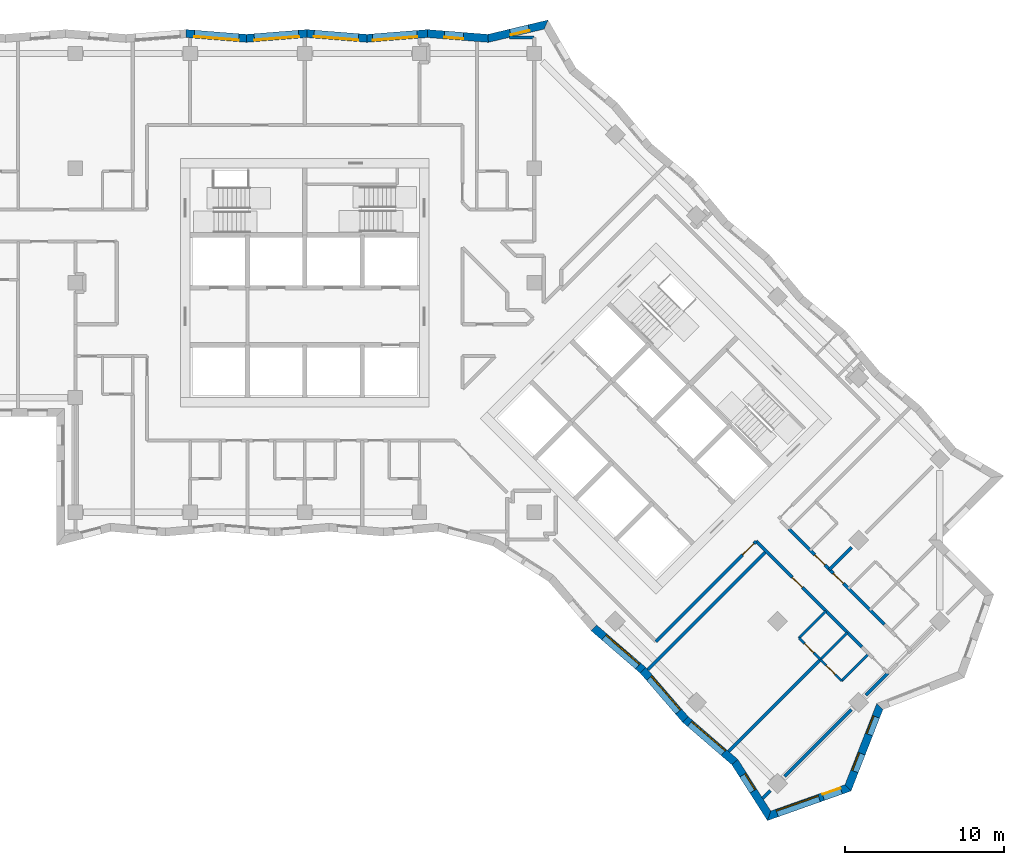
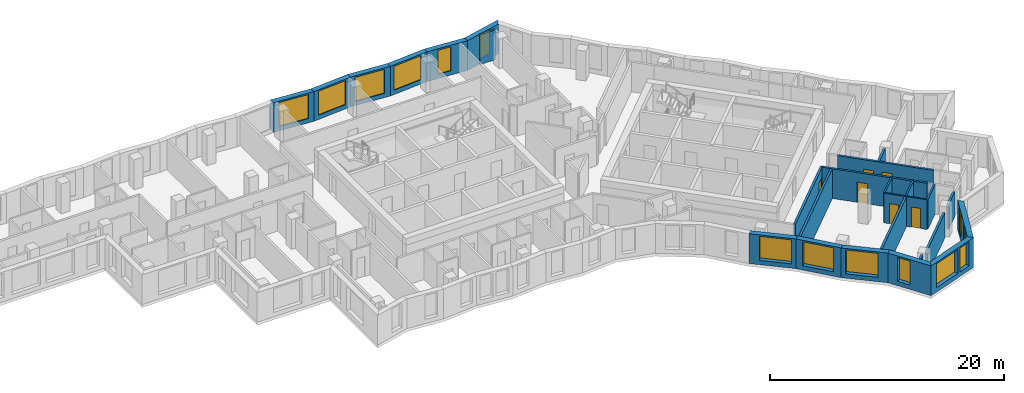
# One storey, part 7 of 12: 27 walls, 14 windows, 6 doors, 20 openings.
"""IFC4 building model written with IfcOpenShell, lengths in metres."""

import ifcopenshell
import ifcopenshell.guid

model = None  # the IFC model being written
_history = None  # IfcOwnerHistory: only IFC2X3 demands one
_inside = {}  # id of a spatial element -> (the spatial element, [elements in it])
_under = {}  # id of a project, library or spatial element -> (it, [spatial elements below it])
_declared = {}  # id of a project -> (the project, [libraries it declares])
_typed = {}  # id of a type object -> (the type object, [elements of that type])
_made_of = {}  # id of a material, layer set ... -> (it, [elements and type objects made of it])


def new_model(schema):
    """Start an empty IFC model of exactly this schema.

    Asked for "IFC4X3", IfcOpenShell would pick the latest addendum, in which some entities
    have other attributes; the version numbers below select the first issue.
    IFC2X3 requires an IfcOwnerHistory on every rooted entity: one is made here for all.
    """
    global model, _history
    if schema == "IFC4X3":
        model = ifcopenshell.file(schema_version=(4, 3, 0, 0))
    else:
        model = ifcopenshell.file(schema=schema)
    _inside.clear()
    _under.clear()
    _declared.clear()
    _typed.clear()
    _made_of.clear()
    _history = None
    if model.schema == "IFC2X3":
        org = make("IfcOrganization", Name="unknown")
        user = make(
            "IfcPersonAndOrganization",
            ThePerson=make("IfcPerson", FamilyName="unknown"),
            TheOrganization=org,
        )
        app = make(
            "IfcApplication",
            ApplicationDeveloper=org,
            Version="unknown",
            ApplicationFullName="unknown",
            ApplicationIdentifier="unknown",
        )
        _history = make(
            "IfcOwnerHistory",
            OwningUser=user,
            OwningApplication=app,
            ChangeAction="ADDED",
            CreationDate=0,
        )
    return model


def make(cls, **values):
    """One entity of the class cls with the attributes given. An attribute that is None is left unset."""
    return model.create_entity(
        cls, **{name: value for name, value in values.items() if value is not None}
    )


def rooted(cls, **values):
    """An entity with a GlobalId (a new one), such as an element, a storey or a relation."""
    return make(cls, GlobalId=ifcopenshell.guid.new(), OwnerHistory=_history, **values)


def si_unit(unit_type, name, prefix=None):
    """IfcSIUnit, for example si_unit("LENGTHUNIT", "METRE", prefix="MILLI")."""
    return make("IfcSIUnit", UnitType=unit_type, Prefix=prefix, Name=name)


def assignment(units):
    """IfcUnitAssignment: the units of a project."""
    return None if units is None else make("IfcUnitAssignment", Units=units)


def point(xyz):
    """IfcCartesianPoint."""
    return None if xyz is None else make("IfcCartesianPoint", Coordinates=xyz)


def direction(xyz):
    """IfcDirection."""
    return None if xyz is None else make("IfcDirection", DirectionRatios=xyz)


def frame(location, z_axis=None, x_axis=None):
    """IfcAxis2Placement3D, a coordinate frame: its origin and axes. An axis left out is left unset."""
    return make(
        "IfcAxis2Placement3D",
        Location=point(location),
        Axis=direction(z_axis),
        RefDirection=direction(x_axis),
    )


def frame_2d(location, x_axis=None):
    """IfcAxis2Placement2D, a coordinate frame in the plane: its origin and x axis."""
    return make(
        "IfcAxis2Placement2D", Location=point(location), RefDirection=direction(x_axis)
    )


def origin():
    """The frame at (0, 0, 0) with its axes left unset."""
    return frame((0.0, 0.0, 0.0))


def place(relative_to, where):
    """IfcLocalPlacement: puts the frame where relative to a parent placement (None: the world)."""
    return make(
        "IfcLocalPlacement", PlacementRelTo=relative_to, RelativePlacement=where
    )


def context(
    kind, dimensions, precision=None, world=None, true_north=None, identifier=None
):
    """IfcGeometricRepresentationContext, for example the 3D "Model" context."""
    return make(
        "IfcGeometricRepresentationContext",
        ContextIdentifier=identifier,
        ContextType=kind,
        CoordinateSpaceDimension=dimensions,
        Precision=precision,
        WorldCoordinateSystem=world,
        TrueNorth=true_north,
    )


def subcontext(parent, identifier, kind, view, scale=None):
    """IfcGeometricRepresentationSubContext, for example "Body" below "Model"."""
    return make(
        "IfcGeometricRepresentationSubContext",
        ContextIdentifier=identifier,
        ContextType=kind,
        ParentContext=parent,
        TargetScale=scale,
        TargetView=view,
    )


def project(units=None, contexts=None):
    """IfcProject with its units and contexts."""
    return rooted(
        "IfcProject",
        Name="project",
        RepresentationContexts=contexts,
        UnitsInContext=assignment(units),
    )


def spatial(cls, under=None, at=None, **own):
    """A site, building, storey or space (cls), placed at a placement, below another one or the project."""
    s = rooted(cls, ObjectPlacement=at, **own)
    if under is not None:
        _under.setdefault(under.id(), (under, []))[1].append(s)
    return s


def polyline(points):
    """IfcPolyline through the points."""
    return make("IfcPolyline", Points=[point(p) for p in points])


def profile(cls, at=None, kind="AREA", **sizes):
    """A parametric profile (cls). Its sizes go by their IFC names, for example OverallWidth=200.0."""
    return make(cls, ProfileType=kind, Position=at, **sizes)


def rectangle(**sizes):
    """IfcRectangleProfileDef."""
    return profile("IfcRectangleProfileDef", **sizes)


def outline(outer, holes=None, kind="AREA"):
    """IfcArbitraryClosedProfileDef: a profile drawn as a closed curve; with holes, ...WithVoids."""
    if holes is None:
        return make("IfcArbitraryClosedProfileDef", ProfileType=kind, OuterCurve=outer)
    return make(
        "IfcArbitraryProfileDefWithVoids",
        ProfileType=kind,
        OuterCurve=outer,
        InnerCurves=holes,
    )


def extrude(swept, where, along, depth):
    """IfcExtrudedAreaSolid: the profile swept, set in the frame where, extruded along a direction by depth."""
    return make(
        "IfcExtrudedAreaSolid",
        SweptArea=swept,
        Position=where,
        ExtrudedDirection=direction(along),
        Depth=depth,
    )


def shape(context_of_items, identifier, shape_type, items):
    """IfcShapeRepresentation: the items that make up one representation, for example the "Body"."""
    return make(
        "IfcShapeRepresentation",
        ContextOfItems=context_of_items,
        RepresentationIdentifier=identifier,
        RepresentationType=shape_type,
        Items=items,
    )


def material(Name=None, Category=None):
    """IfcMaterial."""
    return make("IfcMaterial", Name=Name, Category=Category)


def layer(
    of_material, thickness, ventilated=None, Name=None, Category=None, Priority=None
):
    """IfcMaterialLayer: one layer of a wall or slab, of a material (None: an air gap)."""
    return make(
        "IfcMaterialLayer",
        Material=of_material,
        LayerThickness=thickness,
        IsVentilated=ventilated,
        Name=Name,
        Category=Category,
        Priority=Priority,
    )


def layer_set(layers, Name=None):
    """IfcMaterialLayerSet."""
    return make("IfcMaterialLayerSet", MaterialLayers=layers, LayerSetName=Name)


def made_of(thing, what):
    """Note that an element or type object is made of a material, layer set ...; save() writes the relation."""
    if what is not None:
        _made_of.setdefault(what.id(), (what, []))[1].append(thing)
    return thing


def type_object(cls, material=None, **own):
    """A type object (cls), such as IfcWallType, which elements share."""
    return made_of(rooted(cls, **own), material)


def element(
    cls,
    number,
    at=None,
    inside=None,
    cuts=None,
    type_object=None,
    material=None,
    context=None,
    identifier="Body",
    shape_type=None,
    held_by="IfcProductDefinitionShape",
    body=None,
    shapes=None,
    **own,
):
    """One element of the class cls, such as IfcWall. Its Tag is "e" and its number.

    at: its placement. inside: the storey or other place that contains it. cuts: it is an
    opening in that element (IfcRelVoidsElement). A single representation is given by context,
    identifier, shape_type and body (its items); several are given by shapes. held_by: the class
    of the entity that holds the representations. save() writes the other relations.
    """
    e = rooted(cls, Tag="e%d" % number, ObjectPlacement=at, **own)
    if body is not None:
        shapes = [shape(context, identifier, shape_type, body)]
    if shapes is not None:
        e.Representation = make(held_by, Representations=shapes)
    if inside is not None:
        _inside.setdefault(inside.id(), (inside, []))[1].append(e)
    if cuts is not None:
        rooted(
            "IfcRelVoidsElement", RelatingBuildingElement=cuts, RelatedOpeningElement=e
        )
    if type_object is not None:
        _typed.setdefault(type_object.id(), (type_object, []))[1].append(e)
    return made_of(e, material)


def fill(opening, filler):
    """IfcRelFillsElement: the door or window that sits in an opening."""
    return rooted(
        "IfcRelFillsElement",
        RelatingOpeningElement=opening,
        RelatedBuildingElement=filler,
    )


def aggregate(whole, parts):
    """IfcRelAggregates: a whole, such as a stair, and the parts it consists of."""
    return rooted("IfcRelAggregates", RelatingObject=whole, RelatedObjects=parts)


def save(model, path):
    """Write the relations noted so far, then the file.

    IfcRelAggregates (storeys below a building ...), IfcRelContainedInSpatialStructure (elements
    in a storey), IfcRelDefinesByType, IfcRelAssociatesMaterial and IfcRelDeclares: one each for
    every whole, place, type object, material and project.
    """
    for whole, parts in _under.values():
        aggregate(whole, parts)
    for where, things in _inside.values():
        rooted(
            "IfcRelContainedInSpatialStructure",
            RelatedElements=things,
            RelatingStructure=where,
        )
    for kind, things in _typed.values():
        rooted("IfcRelDefinesByType", RelatedObjects=things, RelatingType=kind)
    for what, things in _made_of.values():
        rooted("IfcRelAssociatesMaterial", RelatedObjects=things, RelatingMaterial=what)
    for by, libraries in _declared.values():
        rooted("IfcRelDeclares", RelatingContext=by, RelatedDefinitions=libraries)
    model.write(path)


model = new_model("IFC4")

# Units and contexts
model_context = context("Model", 3, precision=1e-05, world=origin(), true_north=direction((0.0, 1.0)))
body_context = subcontext(model_context, "Body", "Model", "MODEL_VIEW")
ifc_project = project(units=[si_unit("LENGTHUNIT", "METRE"), si_unit("AREAUNIT", "SQUARE_METRE"), si_unit("VOLUMEUNIT", "CUBIC_METRE"), si_unit("PLANEANGLEUNIT", "RADIAN"), si_unit("MASSUNIT", "GRAM", prefix="KILO")], contexts=[model_context])

# Site, building, storey
site_placement = place(None, origin())
site = spatial("IfcSite", under=ifc_project, at=site_placement, CompositionType="ELEMENT")
building_placement = place(site_placement, origin())
building = spatial("IfcBuilding", under=site, at=building_placement, Name="Windrow Commons", CompositionType="ELEMENT")
storey_placement = place(building_placement, frame((0.0, 0.0, 135.4)))
storey = spatial("IfcBuildingStorey", under=building, at=storey_placement, Name="L36", CompositionType="ELEMENT", Elevation=135.4)

# Wall, openings, windows
ifc_material_1 = material(Name="Brick masonry, red clay brick", Category="masonry")
ifc_layer_1 = layer(ifc_material_1, 0.5)
ifc_layer_set_1 = layer_set([ifc_layer_1], Name="Brick facade wall 500")
wall_type_1 = type_object("IfcWallType", Name="Brick facade wall 500", PredefinedType="SOLIDWALL", material=ifc_layer_set_1)
wall_1_placement = place(storey_placement, frame((93.9411, 24.1479, 0.0), z_axis=(0.0, 0.0, 1.0), x_axis=(0.942814567, 0.3333177047, 0.0)))
wall_1 = element("IfcWall", 1, at=wall_1_placement, inside=storey, type_object=wall_type_1, Name="Brick facade wall L36 1", PredefinedType="SOLIDWALL", context=body_context, shape_type="SweptSolid", body=[
    extrude(outline(polyline([(-0.1987, -0.25), (5.3701, -0.25), (5.1413, 0.25), (0.1987, 0.25), (-0.1987, -0.25)])), origin(), (0.0, 0.0, 1.0), 3.1),
])
opening_1_placement = place(wall_1_placement, frame((0.5276, 0.0, 0.45)))
opening_1 = element("IfcOpeningElement", 2, at=opening_1_placement, cuts=wall_1, Name="Opening W1U", PredefinedType="OPENING", context=body_context, shape_type="SweptSolid", body=[
    extrude(rectangle(XDim=2.8, YDim=2.5, at=frame_2d((1.4, 1.25))), frame((0.0, 0.26, 0.0), z_axis=(0.0, -1.0, 0.0), x_axis=(1.0, 0.0, 0.0)), (0.0, 0.0, 1.0), 0.52),
])
opening_2_placement = place(wall_1_placement, frame((3.5989, 0.0, 0.45)))
opening_2 = element("IfcOpeningElement", 3, at=opening_2_placement, cuts=wall_1, Name="Opening W7E", PredefinedType="OPENING", context=body_context, shape_type="SweptSolid", body=[
    extrude(rectangle(XDim=1.2, YDim=2.5, at=frame_2d((0.6, 1.25))), frame((0.0, 0.26, 0.0), z_axis=(0.0, -1.0, 0.0), x_axis=(1.0, 0.0, 0.0)), (0.0, 0.0, 1.0), 0.52),
])
ifc_material_2 = material(Name="Clear float glass in anodised aluminium frame", Category="aluminium")
window_type_1 = type_object("IfcWindowType", Name="Window W1U bedroom 2800x2500", PartitioningType="SINGLE_PANEL", PredefinedType="WINDOW", material=ifc_material_2)
window_1_placement = place(opening_1_placement, origin())
window_1 = element("IfcWindow", 4, at=window_1_placement, inside=storey, type_object=window_type_1, Name="Window L36 1.1", OverallHeight=2.5, OverallWidth=2.8, PartitioningType="SINGLE_PANEL", PredefinedType="WINDOW", context=body_context, shape_type="SweptSolid", body=[
    extrude(rectangle(XDim=2.8, YDim=2.5, at=frame_2d((1.4, 1.25))), frame((0.0, 0.18, 0.0), z_axis=(0.0, -1.0, 0.0), x_axis=(1.0, 0.0, 0.0)), (0.0, 0.0, 1.0), 0.06),
])
fill(opening_1, window_1)
ifc_material_3 = material(Name="Clear float glass in anodised aluminium frame", Category="aluminium")
window_type_2 = type_object("IfcWindowType", Name="Window W7 notch 1200x2500", PartitioningType="SINGLE_PANEL", PredefinedType="WINDOW", material=ifc_material_3)
window_2_placement = place(opening_2_placement, origin())
window_2 = element("IfcWindow", 5, at=window_2_placement, inside=storey, type_object=window_type_2, Name="Window L36 1.2", OverallHeight=2.5, OverallWidth=1.2, PartitioningType="SINGLE_PANEL", PredefinedType="WINDOW", context=body_context, shape_type="SweptSolid", body=[
    extrude(rectangle(XDim=1.2, YDim=2.5, at=frame_2d((0.6, 1.25))), frame((0.0, 0.18, 0.0), z_axis=(0.0, -1.0, 0.0), x_axis=(1.0, 0.0, 0.0)), (0.0, 0.0, 1.0), 0.06),
])
fill(opening_2, window_2)

wall_2_placement = place(storey_placement, frame((98.8962, 25.8997, 0.0), z_axis=(0.0, 0.0, 1.0), x_axis=(0.364156483, 0.9313377775, 0.0)))
wall_2 = element("IfcWall", 6, at=wall_2_placement, inside=storey, type_object=wall_type_1, Name="Brick facade wall L36 2", PredefinedType="SOLIDWALL", context=body_context, shape_type="SweptSolid", body=[
    extrude(outline(polyline([(-0.1144, -0.25), (5.3711, -0.25), (5.59, 0.25), (0.1144, 0.25), (-0.1144, -0.25)])), origin(), (0.0, 0.0, 1.0), 3.1),
])
opening_3_placement = place(wall_2_placement, frame((1.1142, 0.0, 0.45)))
opening_3 = element("IfcOpeningElement", 7, at=opening_3_placement, cuts=wall_2, Name="Opening W7E", PredefinedType="OPENING", context=body_context, shape_type="SweptSolid", body=[
    extrude(rectangle(XDim=1.2, YDim=2.5, at=frame_2d((0.6, 1.25))), frame((0.0, 0.26, 0.0), z_axis=(0.0, -1.0, 0.0), x_axis=(1.0, 0.0, 0.0)), (0.0, 0.0, 1.0), 0.52),
])
opening_4_placement = place(wall_2_placement, frame((3.5973, 0.0, 0.45)))
opening_4 = element("IfcOpeningElement", 8, at=opening_4_placement, cuts=wall_2, Name="Opening W7E", PredefinedType="OPENING", context=body_context, shape_type="SweptSolid", body=[
    extrude(rectangle(XDim=1.2, YDim=2.5, at=frame_2d((0.6, 1.25))), frame((0.0, 0.26, 0.0), z_axis=(0.0, -1.0, 0.0), x_axis=(1.0, 0.0, 0.0)), (0.0, 0.0, 1.0), 0.52),
])
window_3_placement = place(opening_3_placement, origin())
window_3 = element("IfcWindow", 9, at=window_3_placement, inside=storey, type_object=window_type_2, Name="Window L36 2.1", OverallHeight=2.5, OverallWidth=1.2, PartitioningType="SINGLE_PANEL", PredefinedType="WINDOW", context=body_context, shape_type="SweptSolid", body=[
    extrude(rectangle(XDim=1.2, YDim=2.5, at=frame_2d((0.6, 1.25))), frame((0.0, 0.18, 0.0), z_axis=(0.0, -1.0, 0.0), x_axis=(1.0, 0.0, 0.0)), (0.0, 0.0, 1.0), 0.06),
])
fill(opening_3, window_3)
window_4_placement = place(opening_4_placement, origin())
window_4 = element("IfcWindow", 10, at=window_4_placement, inside=storey, type_object=window_type_2, Name="Window L36 2.2", OverallHeight=2.5, OverallWidth=1.2, PartitioningType="SINGLE_PANEL", PredefinedType="WINDOW", context=body_context, shape_type="SweptSolid", body=[
    extrude(rectangle(XDim=1.2, YDim=2.5, at=frame_2d((0.6, 1.25))), frame((0.0, 0.18, 0.0), z_axis=(0.0, -1.0, 0.0), x_axis=(1.0, 0.0, 0.0)), (0.0, 0.0, 1.0), 0.06),
])
fill(opening_4, window_4)

# Wall, opening, window
wall_3_placement = place(storey_placement, frame((79.9467, 73.8137, 0.0), z_axis=(0.0, 0.0, 1.0), x_axis=(-0.9728878208, -0.2312775132, 0.0)))
wall_3 = element("IfcWall", 11, at=wall_3_placement, inside=storey, type_object=wall_type_1, Name="Brick facade wall L36 19", PredefinedType="SOLIDWALL", context=body_context, shape_type="SweptSolid", body=[
    extrude(outline(polyline([(-0.1861, -0.25), (3.7051, -0.25), (3.7838, 0.25), (0.1861, 0.25), (-0.1861, -0.25)])), origin(), (0.0, 0.0, 1.0), 3.1),
])
opening_5_placement = place(wall_3_placement, frame((1.106, 0.0, 0.45)))
opening_5 = element("IfcOpeningElement", 12, at=opening_5_placement, cuts=wall_3, Name="Opening W7E", PredefinedType="OPENING", context=body_context, shape_type="SweptSolid", body=[
    extrude(rectangle(XDim=1.2, YDim=2.5, at=frame_2d((0.6, 1.25))), frame((0.0, 0.26, 0.0), z_axis=(0.0, -1.0, 0.0), x_axis=(1.0, 0.0, 0.0)), (0.0, 0.0, 1.0), 0.52),
])
window_5_placement = place(opening_5_placement, origin())
window_5 = element("IfcWindow", 13, at=window_5_placement, inside=storey, type_object=window_type_2, Name="Window L36 19.1", OverallHeight=2.5, OverallWidth=1.2, PartitioningType="SINGLE_PANEL", PredefinedType="WINDOW", context=body_context, shape_type="SweptSolid", body=[
    extrude(rectangle(XDim=1.2, YDim=2.5, at=frame_2d((0.6, 1.25))), frame((0.0, 0.15, 0.0), z_axis=(0.0, -1.0, 0.0), x_axis=(1.0, 0.0, 0.0)), (0.0, 0.0, 1.0), 0.06),
])
fill(opening_5, window_5)

wall_4_placement = place(storey_placement, frame((76.3038, 72.9477, 0.0), z_axis=(0.0, 0.0, 1.0), x_axis=(-0.9968755515, 0.0789881945, 0.0)))
wall_4 = element("IfcWall", 14, at=wall_4_placement, inside=storey, type_object=wall_type_1, Name="Brick facade wall L36 20", PredefinedType="SOLIDWALL", context=body_context, shape_type="SweptSolid", body=[
    extrude(outline(polyline([(0.0394, -0.25), (3.8369, -0.25), (3.7972, 0.25), (-0.0394, 0.25), (0.0394, -0.25)])), origin(), (0.0, 0.0, 1.0), 3.1),
])
opening_6_placement = place(wall_4_placement, frame((1.5516, 0.0, 0.45)))
opening_6 = element("IfcOpeningElement", 15, at=opening_6_placement, cuts=wall_4, Name="Opening W7E", PredefinedType="OPENING", context=body_context, shape_type="SweptSolid", body=[
    extrude(rectangle(XDim=1.2, YDim=2.5, at=frame_2d((0.6, 1.25))), frame((0.0, 0.26, 0.0), z_axis=(0.0, -1.0, 0.0), x_axis=(1.0, 0.0, 0.0)), (0.0, 0.0, 1.0), 0.52),
])
window_6_placement = place(opening_6_placement, origin())
window_6 = element("IfcWindow", 16, at=window_6_placement, inside=storey, type_object=window_type_2, Name="Window L36 20.1", OverallHeight=2.5, OverallWidth=1.2, PartitioningType="SINGLE_PANEL", PredefinedType="WINDOW", context=body_context, shape_type="SweptSolid", body=[
    extrude(rectangle(XDim=1.2, YDim=2.5, at=frame_2d((0.6, 1.25))), frame((0.0, 0.18, 0.0), z_axis=(0.0, -1.0, 0.0), x_axis=(1.0, 0.0, 0.0)), (0.0, 0.0, 1.0), 0.06),
])
fill(opening_6, window_6)

wall_5_placement = place(storey_placement, frame((72.4987, 73.2492, 0.0), z_axis=(0.0, 0.0, 1.0), x_axis=(-0.9968747806, -0.0789979222, 0.0)))
wall_5 = element("IfcWall", 17, at=wall_5_placement, inside=storey, type_object=wall_type_1, Name="Brick facade wall L36 21", PredefinedType="SOLIDWALL", context=body_context, shape_type="SweptSolid", body=[
    extrude(outline(polyline([(-0.0198, -0.25), (3.7777, -0.25), (3.8173, 0.25), (0.0198, 0.25), (-0.0198, -0.25)])), origin(), (0.0, 0.0, 1.0), 3.1),
])
opening_7_placement = place(wall_5_placement, frame((0.6489, 0.0, 0.45)))
opening_7 = element("IfcOpeningElement", 18, at=opening_7_placement, cuts=wall_5, Name="Opening W1U", PredefinedType="OPENING", context=body_context, shape_type="SweptSolid", body=[
    extrude(rectangle(XDim=2.8, YDim=2.5, at=frame_2d((1.4, 1.25))), frame((0.0, 0.26, 0.0), z_axis=(0.0, -1.0, 0.0), x_axis=(1.0, 0.0, 0.0)), (0.0, 0.0, 1.0), 0.52),
])
window_7_placement = place(opening_7_placement, origin())
window_7 = element("IfcWindow", 19, at=window_7_placement, inside=storey, type_object=window_type_1, Name="Window L36 21.1", OverallHeight=2.5, OverallWidth=2.8, PartitioningType="SINGLE_PANEL", PredefinedType="WINDOW", context=body_context, shape_type="SweptSolid", body=[
    extrude(rectangle(XDim=2.8, YDim=2.5, at=frame_2d((1.4, 1.25))), frame((0.0, 0.18, 0.0), z_axis=(0.0, -1.0, 0.0), x_axis=(1.0, 0.0, 0.0)), (0.0, 0.0, 1.0), 0.06),
])
fill(opening_7, window_7)

wall_6_placement = place(storey_placement, frame((68.713, 72.9492, 0.0), z_axis=(0.0, 0.0, 1.0), x_axis=(-0.9968746163, 0.078999996, 0.0)))
wall_6 = element("IfcWall", 20, at=wall_6_placement, inside=storey, type_object=wall_type_1, Name="Brick facade wall L36 22", PredefinedType="SOLIDWALL", context=body_context, shape_type="SweptSolid", body=[
    extrude(outline(polyline([(0.0198, -0.25), (3.8173, -0.25), (3.7777, 0.25), (-0.0198, 0.25), (0.0198, -0.25)])), origin(), (0.0, 0.0, 1.0), 3.1),
])
opening_8_placement = place(wall_6_placement, frame((0.5458, 0.0, 0.45)))
opening_8 = element("IfcOpeningElement", 21, at=opening_8_placement, cuts=wall_6, Name="Opening W1U", PredefinedType="OPENING", context=body_context, shape_type="SweptSolid", body=[
    extrude(rectangle(XDim=2.8, YDim=2.5, at=frame_2d((1.4, 1.25))), frame((0.0, 0.26, 0.0), z_axis=(0.0, -1.0, 0.0), x_axis=(1.0, 0.0, 0.0)), (0.0, 0.0, 1.0), 0.52),
])
window_8_placement = place(opening_8_placement, origin())
window_8 = element("IfcWindow", 22, at=window_8_placement, inside=storey, type_object=window_type_1, Name="Window L36 22.1", OverallHeight=2.5, OverallWidth=2.8, PartitioningType="SINGLE_PANEL", PredefinedType="WINDOW", context=body_context, shape_type="SweptSolid", body=[
    extrude(rectangle(XDim=2.8, YDim=2.5, at=frame_2d((1.4, 1.25))), frame((0.0, 0.18, 0.0), z_axis=(0.0, -1.0, 0.0), x_axis=(1.0, 0.0, 0.0)), (0.0, 0.0, 1.0), 0.06),
])
fill(opening_8, window_8)

wall_7_placement = place(storey_placement, frame((64.9274, 73.2492, 0.0), z_axis=(0.0, 0.0, 1.0), x_axis=(-0.9968746163, -0.078999996, 0.0)))
wall_7 = element("IfcWall", 23, at=wall_7_placement, inside=storey, type_object=wall_type_1, Name="Brick facade wall L36 23", PredefinedType="SOLIDWALL", context=body_context, shape_type="SweptSolid", body=[
    extrude(outline(polyline([(-0.0198, -0.25), (3.7777, -0.25), (3.8173, 0.25), (0.0198, 0.25), (-0.0198, -0.25)])), origin(), (0.0, 0.0, 1.0), 3.1),
])
opening_9_placement = place(wall_7_placement, frame((0.5086, 0.0, 0.45)))
opening_9 = element("IfcOpeningElement", 24, at=opening_9_placement, cuts=wall_7, Name="Opening W1U", PredefinedType="OPENING", context=body_context, shape_type="SweptSolid", body=[
    extrude(rectangle(XDim=2.8, YDim=2.5, at=frame_2d((1.4, 1.25))), frame((0.0, 0.26, 0.0), z_axis=(0.0, -1.0, 0.0), x_axis=(1.0, 0.0, 0.0)), (0.0, 0.0, 1.0), 0.52),
])
window_9_placement = place(opening_9_placement, origin())
window_9 = element("IfcWindow", 25, at=window_9_placement, inside=storey, type_object=window_type_1, Name="Window L36 23.1", OverallHeight=2.5, OverallWidth=2.8, PartitioningType="SINGLE_PANEL", PredefinedType="WINDOW", context=body_context, shape_type="SweptSolid", body=[
    extrude(rectangle(XDim=2.8, YDim=2.5, at=frame_2d((1.4, 1.25))), frame((0.0, 0.18, 0.0), z_axis=(0.0, -1.0, 0.0), x_axis=(1.0, 0.0, 0.0)), (0.0, 0.0, 1.0), 0.06),
])
fill(opening_9, window_9)

wall_8_placement = place(storey_placement, frame((61.1418, 72.9492, 0.0), z_axis=(0.0, 0.0, 1.0), x_axis=(-0.9968746163, 0.078999996, 0.0)))
wall_8 = element("IfcWall", 26, at=wall_8_placement, inside=storey, type_object=wall_type_1, Name="Brick facade wall L36 24", PredefinedType="SOLIDWALL", context=body_context, shape_type="SweptSolid", body=[
    extrude(outline(polyline([(0.0198, -0.25), (3.8173, -0.25), (3.7777, 0.25), (-0.0198, 0.25), (0.0198, -0.25)])), origin(), (0.0, 0.0, 1.0), 3.1),
])
opening_10_placement = place(wall_8_placement, frame((0.4888, 0.0, 0.45)))
opening_10 = element("IfcOpeningElement", 27, at=opening_10_placement, cuts=wall_8, Name="Opening W1U", PredefinedType="OPENING", context=body_context, shape_type="SweptSolid", body=[
    extrude(rectangle(XDim=2.8, YDim=2.5, at=frame_2d((1.4, 1.25))), frame((0.0, 0.26, 0.0), z_axis=(0.0, -1.0, 0.0), x_axis=(1.0, 0.0, 0.0)), (0.0, 0.0, 1.0), 0.52),
])
window_10_placement = place(opening_10_placement, origin())
window_10 = element("IfcWindow", 28, at=window_10_placement, inside=storey, type_object=window_type_1, Name="Window L36 24.1", OverallHeight=2.5, OverallWidth=2.8, PartitioningType="SINGLE_PANEL", PredefinedType="WINDOW", context=body_context, shape_type="SweptSolid", body=[
    extrude(rectangle(XDim=2.8, YDim=2.5, at=frame_2d((1.4, 1.25))), frame((0.0, 0.18, 0.0), z_axis=(0.0, -1.0, 0.0), x_axis=(1.0, 0.0, 0.0)), (0.0, 0.0, 1.0), 0.06),
])
fill(opening_10, window_10)

wall_9_placement = place(storey_placement, frame((82.936, 35.9502, 0.0), z_axis=(0.0, 0.0, 1.0), x_axis=(0.7572154684, -0.6531651662, 0.0)))
wall_9 = element("IfcWall", 29, at=wall_9_placement, inside=storey, type_object=wall_type_1, Name="Brick facade wall L36 52", PredefinedType="SOLIDWALL", context=body_context, shape_type="SweptSolid", body=[
    extrude(outline(polyline([(-0.0184, -0.25), (4.0594, -0.25), (4.0963, 0.25), (0.0184, 0.25), (-0.0184, -0.25)])), origin(), (0.0, 0.0, 1.0), 3.1),
])
opening_11_placement = place(wall_9_placement, frame((0.8734, 0.0, 0.45)))
opening_11 = element("IfcOpeningElement", 30, at=opening_11_placement, cuts=wall_9, Name="Opening W1U", PredefinedType="OPENING", context=body_context, shape_type="SweptSolid", body=[
    extrude(rectangle(XDim=2.8, YDim=2.5, at=frame_2d((1.4, 1.25))), frame((0.0, 0.26, 0.0), z_axis=(0.0, -1.0, 0.0), x_axis=(1.0, 0.0, 0.0)), (0.0, 0.0, 1.0), 0.52),
])
window_11_placement = place(opening_11_placement, origin())
window_11 = element("IfcWindow", 31, at=window_11_placement, inside=storey, type_object=window_type_1, Name="Window L36 52.1", OverallHeight=2.5, OverallWidth=2.8, PartitioningType="SINGLE_PANEL", PredefinedType="WINDOW", context=body_context, shape_type="SweptSolid", body=[
    extrude(rectangle(XDim=2.8, YDim=2.5, at=frame_2d((1.4, 1.25))), frame((0.0, 0.18, 0.0), z_axis=(0.0, -1.0, 0.0), x_axis=(1.0, 0.0, 0.0)), (0.0, 0.0, 1.0), 0.06),
])
fill(opening_11, window_11)

wall_10_placement = place(storey_placement, frame((86.0238, 33.2867, 0.0), z_axis=(0.0, 0.0, 1.0), x_axis=(0.6531651662, -0.7572154684, 0.0)))
wall_10 = element("IfcWall", 32, at=wall_10_placement, inside=storey, type_object=wall_type_1, Name="Brick facade wall L36 53", PredefinedType="SOLIDWALL", context=body_context, shape_type="SweptSolid", body=[
    extrude(outline(polyline([(0.0184, -0.25), (4.0963, -0.25), (4.0594, 0.25), (-0.0184, 0.25), (0.0184, -0.25)])), origin(), (0.0, 0.0, 1.0), 3.1),
])
opening_12_placement = place(wall_10_placement, frame((0.6297, 0.0, 0.45)))
opening_12 = element("IfcOpeningElement", 33, at=opening_12_placement, cuts=wall_10, Name="Opening W1U", PredefinedType="OPENING", context=body_context, shape_type="SweptSolid", body=[
    extrude(rectangle(XDim=2.8, YDim=2.5, at=frame_2d((1.4, 1.25))), frame((0.0, 0.26, 0.0), z_axis=(0.0, -1.0, 0.0), x_axis=(1.0, 0.0, 0.0)), (0.0, 0.0, 1.0), 0.52),
])
window_12_placement = place(opening_12_placement, origin())
window_12 = element("IfcWindow", 34, at=window_12_placement, inside=storey, type_object=window_type_1, Name="Window L36 53.1", OverallHeight=2.5, OverallWidth=2.8, PartitioningType="SINGLE_PANEL", PredefinedType="WINDOW", context=body_context, shape_type="SweptSolid", body=[
    extrude(rectangle(XDim=2.8, YDim=2.5, at=frame_2d((1.4, 1.25))), frame((0.0, 0.18, 0.0), z_axis=(0.0, -1.0, 0.0), x_axis=(1.0, 0.0, 0.0)), (0.0, 0.0, 1.0), 0.06),
])
fill(opening_12, window_12)

wall_11_placement = place(storey_placement, frame((88.6873, 30.1989, 0.0), z_axis=(0.0, 0.0, 1.0), x_axis=(0.7572038427, -0.6531786437, 0.0)))
wall_11 = element("IfcWall", 35, at=wall_11_placement, inside=storey, type_object=wall_type_1, Name="Brick facade wall L36 54", PredefinedType="SOLIDWALL", context=body_context, shape_type="SweptSolid", body=[
    extrude(outline(polyline([(-0.0184, -0.25), (4.0594, -0.25), (4.1328, 0.25), (0.0184, 0.25), (-0.0184, -0.25)])), origin(), (0.0, 0.0, 1.0), 3.1),
])
opening_13_placement = place(wall_11_placement, frame((0.3805, 0.0, 0.45)))
opening_13 = element("IfcOpeningElement", 36, at=opening_13_placement, cuts=wall_11, Name="Opening W1U", PredefinedType="OPENING", context=body_context, shape_type="SweptSolid", body=[
    extrude(rectangle(XDim=2.8, YDim=2.5, at=frame_2d((1.4, 1.25))), frame((0.0, 0.26, 0.0), z_axis=(0.0, -1.0, 0.0), x_axis=(1.0, 0.0, 0.0)), (0.0, 0.0, 1.0), 0.52),
])
window_13_placement = place(opening_13_placement, origin())
window_13 = element("IfcWindow", 37, at=window_13_placement, inside=storey, type_object=window_type_1, Name="Window L36 54.1", OverallHeight=2.5, OverallWidth=2.8, PartitioningType="SINGLE_PANEL", PredefinedType="WINDOW", context=body_context, shape_type="SweptSolid", body=[
    extrude(rectangle(XDim=2.8, YDim=2.5, at=frame_2d((1.4, 1.25))), frame((0.0, 0.18, 0.0), z_axis=(0.0, -1.0, 0.0), x_axis=(1.0, 0.0, 0.0)), (0.0, 0.0, 1.0), 0.06),
])
fill(opening_13, window_13)

wall_12_placement = place(storey_placement, frame((91.7889, 27.5234, 0.0), z_axis=(0.0, 0.0, 1.0), x_axis=(0.537613952, -0.8431911044, 0.0)))
wall_12 = element("IfcWall", 38, at=wall_12_placement, inside=storey, type_object=wall_type_1, Name="Brick facade wall L36 55", PredefinedType="SOLIDWALL", context=body_context, shape_type="SweptSolid", body=[
    extrude(outline(polyline([(0.0367, -0.25), (4.2019, -0.25), (3.8045, 0.25), (-0.0367, 0.25), (0.0367, -0.25)])), origin(), (0.0, 0.0, 1.0), 3.1),
])
opening_14_placement = place(wall_12_placement, frame((0.9588, 0.0, 0.45)))
opening_14 = element("IfcOpeningElement", 39, at=opening_14_placement, cuts=wall_12, Name="Opening W7E", PredefinedType="OPENING", context=body_context, shape_type="SweptSolid", body=[
    extrude(rectangle(XDim=1.2, YDim=2.5, at=frame_2d((0.6, 1.25))), frame((0.0, 0.26, 0.0), z_axis=(0.0, -1.0, 0.0), x_axis=(1.0, 0.0, 0.0)), (0.0, 0.0, 1.0), 0.52),
])
window_14_placement = place(opening_14_placement, origin())
window_14 = element("IfcWindow", 40, at=window_14_placement, inside=storey, type_object=window_type_2, Name="Window L36 55.1", OverallHeight=2.5, OverallWidth=1.2, PartitioningType="SINGLE_PANEL", PredefinedType="WINDOW", context=body_context, shape_type="SweptSolid", body=[
    extrude(rectangle(XDim=1.2, YDim=2.5, at=frame_2d((0.6, 1.25))), frame((0.0, 0.18, 0.0), z_axis=(0.0, -1.0, 0.0), x_axis=(1.0, 0.0, 0.0)), (0.0, 0.0, 1.0), 0.06),
])
fill(opening_14, window_14)

# Wall, opening, door
ifc_material_4 = material(Name="Blockwork partition", Category="masonry")
ifc_layer_2 = layer(ifc_material_4, 0.2)
ifc_layer_set_2 = layer_set([ifc_layer_2], Name="IW-CORRIDOR-200")
wall_type_2 = type_object("IfcWallType", Name="IW-CORRIDOR-200", PredefinedType="PARTITIONING", material=ifc_layer_set_2)
wall_13_placement = place(storey_placement, frame((93.1269, 41.3789, 0.0), z_axis=(0.0, 0.0, 1.0), x_axis=(0.7071067812, -0.7071067812, 0.0)))
wall_13 = element("IfcWall", 41, at=wall_13_placement, inside=storey, type_object=wall_type_2, Name="W-L36-W007", PredefinedType="PARTITIONING", context=body_context, shape_type="SweptSolid", body=[
    extrude(rectangle(XDim=9.3904, YDim=0.2, at=frame_2d((4.6952, 0.0))), origin(), (0.0, 0.0, 1.0), 3.1),
])
opening_15_placement = place(wall_13_placement, frame((3.2004, 0.0, 0.0)))
opening_15 = element("IfcOpeningElement", 42, at=opening_15_placement, cuts=wall_13, Name="Opening D109F", PredefinedType="OPENING", context=body_context, shape_type="SweptSolid", body=[
    extrude(rectangle(XDim=0.9, YDim=2.1, at=frame_2d((0.45, 1.05))), frame((0.0, 0.11, 0.0), z_axis=(0.0, -1.0, 0.0), x_axis=(1.0, 0.0, 0.0)), (0.0, 0.0, 1.0), 0.22),
])
ifc_material_5 = material(Name="Timber door leaf", Category="wood")
door_type_1 = type_object("IfcDoorType", Name="DT-BEDROOM-900", OperationType="SINGLE_SWING_LEFT", PredefinedType="DOOR", material=ifc_material_5)
door_1_placement = place(opening_15_placement, origin())
door_1 = element("IfcDoor", 43, at=door_1_placement, inside=storey, type_object=door_type_1, Name="D-L36-D045", OperationType="SINGLE_SWING_LEFT", OverallHeight=2.1, OverallWidth=0.9, PredefinedType="DOOR", context=body_context, shape_type="SweptSolid", body=[
    extrude(rectangle(XDim=0.9, YDim=2.1, at=frame_2d((0.45, 1.05))), frame((0.0, 0.025, 0.0), z_axis=(0.0, -1.0, 0.0), x_axis=(1.0, 0.0, 0.0)), (0.0, 0.0, 1.0), 0.05),
])
fill(opening_15, door_1)

wall_14_placement = place(storey_placement, frame((86.837, 35.091, 0.0), z_axis=(0.0, 0.0, 1.0), x_axis=(0.7071067812, 0.7071067812, 0.0)))
wall_14 = element("IfcWall", 44, at=wall_14_placement, inside=storey, type_object=wall_type_2, Name="W-L36-W011", PredefinedType="PARTITIONING", context=body_context, shape_type="SweptSolid", body=[
    extrude(rectangle(XDim=8.8982, YDim=0.2, at=frame_2d((4.4491, 0.0))), origin(), (0.0, 0.0, 1.0), 3.1),
])
opening_16_placement = place(wall_14_placement, frame((7.7004, 0.0, 0.0)))
opening_16 = element("IfcOpeningElement", 45, at=opening_16_placement, cuts=wall_14, Name="Opening D310F", PredefinedType="OPENING", context=body_context, shape_type="SweptSolid", body=[
    extrude(rectangle(XDim=1.0, YDim=2.1, at=frame_2d((0.5, 1.05))), frame((0.0, 0.11, 0.0), z_axis=(0.0, -1.0, 0.0), x_axis=(1.0, 0.0, 0.0)), (0.0, 0.0, 1.0), 0.22),
])
ifc_material_6 = material(Name="Timber door leaf", Category="wood")
door_type_2 = type_object("IfcDoorType", Name="DT-AMENITY-1000", OperationType="SINGLE_SWING_LEFT", PredefinedType="DOOR", material=ifc_material_6)
door_2_placement = place(opening_16_placement, origin())
door_2 = element("IfcDoor", 46, at=door_2_placement, inside=storey, type_object=door_type_2, Name="D-L36-D044", OperationType="SINGLE_SWING_LEFT", OverallHeight=2.1, OverallWidth=1.0, PredefinedType="DOOR", context=body_context, shape_type="SweptSolid", body=[
    extrude(rectangle(XDim=1.0, YDim=2.1, at=frame_2d((0.5, 1.05))), frame((0.0, 0.025, 0.0), z_axis=(0.0, -1.0, 0.0), x_axis=(1.0, 0.0, 0.0)), (0.0, 0.0, 1.0), 0.05),
])
fill(opening_16, door_2)

# Wall, openings, doors
wall_15_placement = place(storey_placement, frame((95.1771, 42.1571, 0.0), z_axis=(0.0, 0.0, 1.0), x_axis=(0.7071067812, -0.7071067812, 0.0)))
wall_15 = element("IfcWall", 47, at=wall_15_placement, inside=storey, type_object=wall_type_2, Name="W-L36-W012", PredefinedType="PARTITIONING", context=body_context, shape_type="SweptSolid", body=[
    extrude(rectangle(XDim=8.4909, YDim=0.2, at=frame_2d((4.2454, 0.0))), origin(), (0.0, 0.0, 1.0), 3.1),
])
opening_17_placement = place(wall_15_placement, frame((2.3004, 0.0, 0.0)))
opening_17 = element("IfcOpeningElement", 48, at=opening_17_placement, cuts=wall_15, Name="Opening D109S", PredefinedType="OPENING", context=body_context, shape_type="SweptSolid", body=[
    extrude(rectangle(XDim=0.9, YDim=2.1, at=frame_2d((0.45, 1.05))), frame((0.0, 0.11, 0.0), z_axis=(0.0, -1.0, 0.0), x_axis=(1.0, 0.0, 0.0)), (0.0, 0.0, 1.0), 0.22),
])
opening_18_placement = place(wall_15_placement, frame((3.9504, 0.0, 0.0)))
opening_18 = element("IfcOpeningElement", 49, at=opening_18_placement, cuts=wall_15, Name="Opening D109S", PredefinedType="OPENING", context=body_context, shape_type="SweptSolid", body=[
    extrude(rectangle(XDim=0.9, YDim=2.1, at=frame_2d((0.45, 1.05))), frame((0.0, 0.11, 0.0), z_axis=(0.0, -1.0, 0.0), x_axis=(1.0, 0.0, 0.0)), (0.0, 0.0, 1.0), 0.22),
])
door_3_placement = place(opening_17_placement, origin())
door_3 = element("IfcDoor", 50, at=door_3_placement, inside=storey, type_object=door_type_1, Name="D-L36-D042", OperationType="SINGLE_SWING_RIGHT", OverallHeight=2.1, OverallWidth=0.9, PredefinedType="DOOR", context=body_context, shape_type="SweptSolid", body=[
    extrude(rectangle(XDim=0.9, YDim=2.1, at=frame_2d((0.45, 1.05))), frame((0.0, 0.025, 0.0), z_axis=(0.0, -1.0, 0.0), x_axis=(1.0, 0.0, 0.0)), (0.0, 0.0, 1.0), 0.05),
])
fill(opening_17, door_3)
door_4_placement = place(opening_18_placement, origin())
door_4 = element("IfcDoor", 51, at=door_4_placement, inside=storey, type_object=door_type_1, Name="D-L36-D047", OperationType="SINGLE_SWING_LEFT", OverallHeight=2.1, OverallWidth=0.9, PredefinedType="DOOR", context=body_context, shape_type="SweptSolid", body=[
    extrude(rectangle(XDim=0.9, YDim=2.1, at=frame_2d((0.45, 1.05))), frame((0.0, 0.025, 0.0), z_axis=(0.0, -1.0, 0.0), x_axis=(1.0, 0.0, 0.0)), (0.0, 0.0, 1.0), 0.05),
])
fill(opening_18, door_4)

# Walls
ifc_material_7 = material(Name="Blockwork partition", Category="masonry")
ifc_layer_3 = layer(ifc_material_7, 0.15)
ifc_layer_set_3 = layer_set([ifc_layer_3], Name="IW-ENSUITE-150")
wall_type_3 = type_object("IfcWallType", Name="IW-ENSUITE-150", PredefinedType="PARTITIONING", material=ifc_layer_set_3)
wall_16_placement = place(storey_placement, frame((98.5031, 32.6149, 0.0), z_axis=(0.0, 0.0, 1.0), x_axis=(0.7071067812, 0.7071067812, 0.0)))
element("IfcWall", 52, at=wall_16_placement, inside=storey, type_object=wall_type_3, Name="W-L36-W063", PredefinedType="PARTITIONING", context=body_context, shape_type="SweptSolid", body=[
    extrude(rectangle(XDim=2.4013, YDim=0.15, at=frame_2d((1.2006, 0.0))), origin(), (0.0, 0.0, 1.0), 3.1),
])
for number, where, z_axis, x_axis, name in (
    (53, (97.1606, 33.9594, 0.0), (0.0, 0.0, 1.0), (0.7071067812, 0.7071067812, 0.0), "W-L36-W089"),
    (54, (95.8171, 35.3029, 0.0), (0.0, 0.0, 1.0), (0.7071067812, 0.7071067812, 0.0), "W-L36-W090"),
):
    element("IfcWall", number, at=place(storey_placement, frame(where, z_axis=z_axis, x_axis=x_axis)), inside=storey, type_object=wall_type_3, Name=name, PredefinedType="PARTITIONING", context=body_context, shape_type="SweptSolid", body=[
        extrude(rectangle(XDim=2.3985, YDim=0.15, at=frame_2d((1.1992, 0.0))), origin(), (0.0, 0.0, 1.0), 3.1),
    ])

# Wall, opening, door
wall_17_placement = place(storey_placement, frame((95.8196, 35.3036, 0.0), z_axis=(0.0, 0.0, 1.0), x_axis=(0.7065800724, -0.7076330979, 0.0)))
wall_17 = element("IfcWall", 55, at=wall_17_placement, inside=storey, type_object=wall_type_3, Name="W-L36-W126", PredefinedType="PARTITIONING", context=body_context, shape_type="SweptSolid", body=[
    extrude(rectangle(XDim=1.8993, YDim=0.15, at=frame_2d((0.9496, 0.0))), origin(), (0.0, 0.0, 1.0), 3.1),
])
opening_19_placement = place(wall_17_placement, frame((0.493, 0.0, 0.0)))
opening_19 = element("IfcOpeningElement", 56, at=opening_19_placement, cuts=wall_17, Name="Opening D208N", PredefinedType="OPENING", context=body_context, shape_type="SweptSolid", body=[
    extrude(rectangle(XDim=0.8, YDim=2.1, at=frame_2d((0.4, 1.05))), frame((0.0, 0.085, 0.0), z_axis=(0.0, -1.0, 0.0), x_axis=(1.0, 0.0, 0.0)), (0.0, 0.0, 1.0), 0.17),
])
ifc_material_8 = material(Name="Timber door leaf", Category="wood")
door_type_3 = type_object("IfcDoorType", Name="DT-ENSUITE-800", OperationType="SINGLE_SWING_LEFT", PredefinedType="DOOR", material=ifc_material_8)
door_5_placement = place(opening_19_placement, origin())
door_5 = element("IfcDoor", 57, at=door_5_placement, inside=storey, type_object=door_type_3, Name="D-L36-D046", OperationType="SINGLE_SWING_RIGHT", OverallHeight=2.1, OverallWidth=0.8, PredefinedType="DOOR", context=body_context, shape_type="SweptSolid", body=[
    extrude(rectangle(XDim=0.8, YDim=2.1, at=frame_2d((0.4, 1.05))), frame((0.0, 0.025, 0.0), z_axis=(0.0, -1.0, 0.0), x_axis=(1.0, 0.0, 0.0)), (0.0, 0.0, 1.0), 0.05),
])
fill(opening_19, door_5)

wall_18_placement = place(storey_placement, frame((97.1589, 33.9529, 0.0), z_axis=(0.0, 0.0, 1.0), x_axis=(0.7071067812, -0.7071067812, 0.0)))
wall_18 = element("IfcWall", 58, at=wall_18_placement, inside=storey, type_object=wall_type_3, Name="W-L36-W127", PredefinedType="PARTITIONING", context=body_context, shape_type="SweptSolid", body=[
    extrude(rectangle(XDim=1.8979, YDim=0.15, at=frame_2d((0.9489, 0.0))), origin(), (0.0, 0.0, 1.0), 3.1),
])
opening_20_placement = place(wall_18_placement, frame((0.5171, 0.0, 0.0)))
opening_20 = element("IfcOpeningElement", 59, at=opening_20_placement, cuts=wall_18, Name="Opening D208N", PredefinedType="OPENING", context=body_context, shape_type="SweptSolid", body=[
    extrude(rectangle(XDim=0.8, YDim=2.1, at=frame_2d((0.4, 1.05))), frame((0.0, 0.085, 0.0), z_axis=(0.0, -1.0, 0.0), x_axis=(1.0, 0.0, 0.0)), (0.0, 0.0, 1.0), 0.17),
])
door_6_placement = place(opening_20_placement, origin())
door_6 = element("IfcDoor", 60, at=door_6_placement, inside=storey, type_object=door_type_3, Name="D-L36-D050", OperationType="SINGLE_SWING_RIGHT", OverallHeight=2.1, OverallWidth=0.8, PredefinedType="DOOR", context=body_context, shape_type="SweptSolid", body=[
    extrude(rectangle(XDim=0.8, YDim=2.1, at=frame_2d((0.4, 1.05))), frame((0.0, 0.025, 0.0), z_axis=(0.0, -1.0, 0.0), x_axis=(1.0, 0.0, 0.0)), (0.0, 0.0, 1.0), 0.05),
])
fill(opening_20, door_6)

# Walls
ifc_material_9 = material(Name="Blockwork partition", Category="masonry")
ifc_layer_4 = layer(ifc_material_9, 0.2)
ifc_layer_set_4 = layer_set([ifc_layer_4], Name="IW-PARTY-200")
wall_type_4 = type_object("IfcWallType", Name="IW-PARTY-200", PredefinedType="PARTITIONING", material=ifc_layer_set_4)
wall_19_placement = place(storey_placement, frame((86.3315, 33.3126, 0.0), z_axis=(0.0, 0.0, 1.0), x_axis=(0.7071020252, 0.7071115371, 0.0)))
element("IfcWall", 61, at=wall_19_placement, inside=storey, type_object=wall_type_4, Name="W-L36-W005", PredefinedType="PARTITIONING", context=body_context, shape_type="SweptSolid", body=[
    extrude(rectangle(XDim=10.5132, YDim=0.2, at=frame_2d((5.2566, 0.0))), origin(), (0.0, 0.0, 1.0), 3.1),
])
wall_20_placement = place(storey_placement, frame((91.3984, 28.1904, 0.0), z_axis=(0.0, 0.0, 1.0), x_axis=(0.7072294342, 0.7069841069, 0.0)))
element("IfcWall", 62, at=wall_20_placement, inside=storey, type_object=wall_type_4, Name="W-L36-W018", PredefinedType="PARTITIONING", context=body_context, shape_type="SweptSolid", body=[
    extrude(rectangle(XDim=8.1524, YDim=0.2, at=frame_2d((4.0762, 0.0))), origin(), (0.0, 0.0, 1.0), 3.1),
])
wall_21_placement = place(storey_placement, frame((94.9232, 26.6308, 0.0), z_axis=(0.0, 0.0, 1.0), x_axis=(0.7071067812, 0.7071067812, 0.0)))
element("IfcWall", 63, at=wall_21_placement, inside=storey, type_object=wall_type_4, Name="W-L36-W027", PredefinedType="PARTITIONING", context=body_context, shape_type="SweptSolid", body=[
    extrude(rectangle(XDim=5.9256, YDim=0.2, at=frame_2d((2.9628, 0.0))), origin(), (0.0, 0.0, 1.0), 2.6),
])
wall_22_placement = place(storey_placement, frame((100.0132, 31.7208, 0.0), z_axis=(0.0, 0.0, 1.0), x_axis=(0.7071067812, 0.7071067812, 0.0)))
element("IfcWall", 64, at=wall_22_placement, inside=storey, type_object=wall_type_4, Name="W-L36-W111", PredefinedType="PARTITIONING", context=body_context, shape_type="SweptSolid", body=[
    extrude(rectangle(XDim=1.9658, YDim=0.2, at=frame_2d((0.9829, 0.0))), origin(), (0.0, 0.0, 1.0), 2.6),
])
wall_23_placement = place(storey_placement, frame((97.725, 39.615, 0.0), z_axis=(0.0, 0.0, 1.0), x_axis=(0.7071067812, 0.7071067812, 0.0)))
element("IfcWall", 65, at=wall_23_placement, inside=storey, type_object=wall_type_4, Name="W-L36-W112", PredefinedType="PARTITIONING", context=body_context, shape_type="SweptSolid", body=[
    extrude(rectangle(XDim=1.9658, YDim=0.2, at=frame_2d((0.9829, 0.0))), origin(), (0.0, 0.0, 1.0), 3.1),
])
wall_24_placement = place(storey_placement, frame((77.6548, 73.0, 0.0), z_axis=(0.0, 0.0, 1.0), x_axis=(1.0, 0.0, 0.0)))
element("IfcWall", 66, at=wall_24_placement, inside=storey, type_object=wall_type_4, Name="W-L36-W141", PredefinedType="PARTITIONING", context=body_context, shape_type="SweptSolid", body=[
    extrude(rectangle(XDim=1.5452, YDim=0.2, at=frame_2d((0.7726, 0.0))), origin(), (0.0, 0.0, 1.0), 3.1),
])
wall_25_placement = place(storey_placement, frame((93.5378, 25.2454, 0.0), z_axis=(0.0, 0.0, 1.0), x_axis=(0.7071067812, 0.7071067812, 0.0)))
element("IfcWall", 67, at=wall_25_placement, inside=storey, type_object=wall_type_4, Name="W-L36-W156", PredefinedType="PARTITIONING", context=body_context, shape_type="SweptSolid", body=[
    extrude(rectangle(XDim=0.6865, YDim=0.2, at=frame_2d((0.3432, 0.0))), origin(), (0.0, 0.0, 1.0), 3.1),
])

save(model, "model.ifc")
